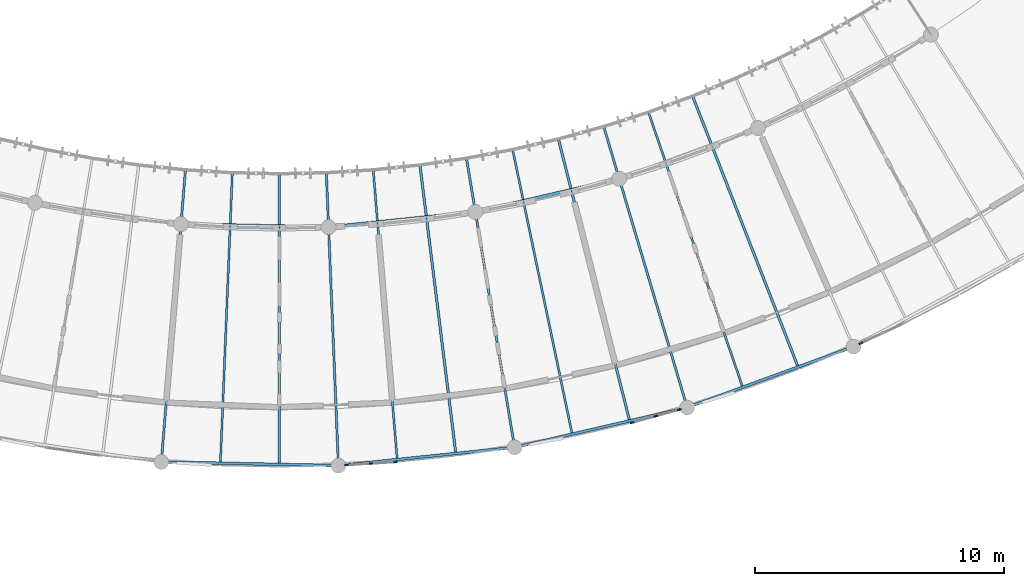
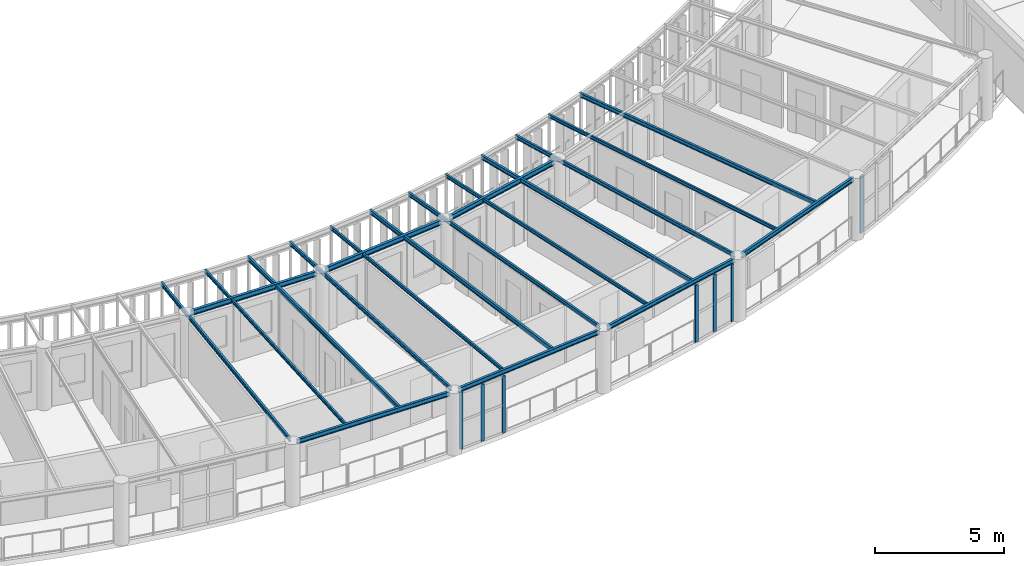
# One storey, part 17 of 101: 19 beams, 7 members, 3 elements without a shape of their own.
"""IFC4 building model written with IfcOpenShell, lengths in metres."""

from ifc_helpers import new_model, si_unit, direction, frame, origin, origin_2d, place, context, subcontext, project, spatial, rectangle, i_section, extrude, material, layer, layer_set, material_profile, profile_set, type_object, element, aggregate, save


model = new_model("IFC4")

# Units and contexts
model_context = context("Model", 3, precision=1e-05, world=origin(), true_north=direction((0.0, 1.0)))
body_context = subcontext(model_context, "Body", "Model", "MODEL_VIEW")
ifc_project = project(units=[si_unit("LENGTHUNIT", "METRE"), si_unit("AREAUNIT", "SQUARE_METRE"), si_unit("VOLUMEUNIT", "CUBIC_METRE"), si_unit("PLANEANGLEUNIT", "RADIAN"), si_unit("MASSUNIT", "GRAM", prefix="KILO"), si_unit("POWERUNIT", "WATT"), si_unit("THERMODYNAMICTEMPERATUREUNIT", "KELVIN")], contexts=[model_context])

# Site, building, storey
site_placement = place(None, origin())
site = spatial("IfcSite", under=ifc_project, at=site_placement, CompositionType="ELEMENT")
building_placement = place(site_placement, origin())
building = spatial("IfcBuilding", under=site, at=building_placement, Name="Ruvembo Vaulted Housing Court", CompositionType="ELEMENT")
storey_placement = place(building_placement, frame((0.0, 0.0, 17.300048828125)))
storey = spatial("IfcBuildingStorey", under=building, at=storey_placement, Name="L05", CompositionType="ELEMENT", Elevation=17.300048828125)

# Beams
ifc_material_1 = material(Name="Steel S355J2", Category="steel")
ifc_material_profile_1 = material_profile(ifc_material_1, i_section(OverallWidth=0.08203125, OverallDepth=0.159912109375, WebThickness=0.0048828125, FlangeThickness=0.00732421875, FilletRadius=0.009033203125, at=origin_2d()), Name="IPE 160")
ifc_profile_set_1 = profile_set([ifc_material_profile_1], Name="Steel S355J2")
beam_type_1 = type_object("IfcBeamType", Name="BM-ST-IPE160", PredefinedType="JOIST", material=ifc_profile_set_1)
for number, where, z_axis, x_axis, name in (
    (1, (66.630615234375, 4.596923828125, 2.85205078125), (0.041239703888, 0.999149281551, 0.0), (-0.999149281551, 0.041239703888, 0.0), "Scoop SC2 L05 Radial Steel Joist 13"),
    (2, (73.73486328125, 4.743408203125, 2.85205078125), (-0.082416447745, 0.996597977693, 0.0), (-0.996597977693, -0.082416447745, 0.0), "Scoop SC2 L05 Radial Steel Joist 16"),
):
    element("IfcBeam", number, at=place(storey_placement, frame(where, z_axis=z_axis, x_axis=x_axis)), inside=storey, type_object=beam_type_1, Name=name, PredefinedType="JOIST", context=body_context, shape_type="SweptSolid", body=[
        extrude(i_section(OverallWidth=0.08203125, OverallDepth=0.159912109375, WebThickness=0.0048828125, FlangeThickness=0.00732421875, FilletRadius=0.009033203125, at=origin_2d()), origin(), (0.0, 0.0, 1.0), 11.692138671875),
    ])
beam_1_placement = place(storey_placement, frame((80.7666015625, 5.765869140625, 2.85205078125), z_axis=(-0.204822214104, 0.9787991932, 0.0), x_axis=(-0.9787991932, -0.204822214104, 0.0)))
element("IfcBeam", 3, at=beam_1_placement, inside=storey, type_object=beam_type_1, Name="Scoop SC2 L05 Radial Steel Joist 19", PredefinedType="JOIST", context=body_context, shape_type="SweptSolid", body=[
    extrude(i_section(OverallWidth=0.08203125, OverallDepth=0.159912109375, WebThickness=0.0048828125, FlangeThickness=0.00732421875, FilletRadius=0.009033203125, at=origin_2d()), origin(), (0.0, 0.0, 1.0), 11.69189453125),
])
beam_2_placement = place(storey_placement, frame((87.618408203125, 7.6484375, 2.85205078125), z_axis=(-0.324072338174, 0.946032303693, 0.0), x_axis=(-0.946032303693, -0.324072338174, 0.0)))
element("IfcBeam", 4, at=beam_2_placement, inside=storey, type_object=beam_type_1, Name="Scoop SC2 L05 Radial Steel Joist 22", PredefinedType="JOIST", context=body_context, shape_type="SweptSolid", body=[
    extrude(i_section(OverallWidth=0.08203125, OverallDepth=0.159912109375, WebThickness=0.0048828125, FlangeThickness=0.00732421875, FilletRadius=0.009033203125, at=origin_2d()), origin(), (0.0, 0.0, 1.0), 11.692138671875),
])
ifc_material_profile_2 = material_profile(ifc_material_1, i_section(OverallWidth=0.091064453125, OverallDepth=0.179931640625, WebThickness=0.00537109375, FlangeThickness=0.008056640625, FilletRadius=0.009033203125, at=origin_2d()), Name="IPE 180")
ifc_profile_set_2 = profile_set([ifc_material_profile_2], Name="Steel S355J2")
beam_type_2 = type_object("IfcBeamType", Name="BM-ST-IPE180", PredefinedType="JOIST", material=ifc_profile_set_2)
beam_3_placement = place(storey_placement, frame((64.268798828125, 4.785400390625, 2.842041015625), z_axis=(0.082400296485, 0.996599313234, 0.0), x_axis=(-0.996599313234, 0.082400296485, 0.0)))
element("IfcBeam", 5, at=beam_3_placement, inside=storey, type_object=beam_type_2, Name="Scoop SC2 L05 Radial Steel Joist 12", PredefinedType="JOIST", context=body_context, shape_type="SweptSolid", body=[
    extrude(i_section(OverallWidth=0.091064453125, OverallDepth=0.179931640625, WebThickness=0.00537109375, FlangeThickness=0.008056640625, FilletRadius=0.009033203125, at=origin_2d()), origin(), (0.0, 0.0, 1.0), 11.64990234375),
])
beam_4_placement = place(storey_placement, frame((71.36767578125, 4.638916015625, 2.842041015625), z_axis=(-0.041241780641, 0.999149195831, 0.0), x_axis=(-0.999149195831, -0.041241780641, 0.0)))
element("IfcBeam", 6, at=beam_4_placement, inside=storey, type_object=beam_type_2, Name="Scoop SC2 L05 Radial Steel Joist 15", PredefinedType="JOIST", context=body_context, shape_type="SweptSolid", body=[
    extrude(i_section(OverallWidth=0.091064453125, OverallDepth=0.179931640625, WebThickness=0.00537109375, FlangeThickness=0.008056640625, FilletRadius=0.009033203125, at=origin_2d()), origin(), (0.0, 0.0, 1.0), 11.650146484375),
])
beam_5_placement = place(storey_placement, frame((78.430419921875, 5.369873046875, 2.842041015625), z_axis=(-0.164276646403, 0.986414306185, 0.0), x_axis=(-0.986414306185, -0.164276646403, 0.0)))
element("IfcBeam", 7, at=beam_5_placement, inside=storey, type_object=beam_type_2, Name="Scoop SC2 L05 Radial Steel Joist 18", PredefinedType="JOIST", context=body_context, shape_type="SweptSolid", body=[
    extrude(i_section(OverallWidth=0.091064453125, OverallDepth=0.179931640625, WebThickness=0.00537109375, FlangeThickness=0.008056640625, FilletRadius=0.009033203125, at=origin_2d()), origin(), (0.0, 0.0, 1.0), 11.64990234375),
])
beam_6_placement = place(storey_placement, frame((85.34912109375, 6.967041015625, 2.842041015625), z_axis=(-0.284791771635, 0.958589404703, 0.0), x_axis=(-0.958589404703, -0.284791771635, 0.0)))
element("IfcBeam", 8, at=beam_6_placement, inside=storey, type_object=beam_type_2, Name="Scoop SC2 L05 Radial Steel Joist 21", PredefinedType="JOIST", context=body_context, shape_type="SweptSolid", body=[
    extrude(i_section(OverallWidth=0.091064453125, OverallDepth=0.179931640625, WebThickness=0.00537109375, FlangeThickness=0.008056640625, FilletRadius=0.009033203125, at=origin_2d()), origin(), (0.0, 0.0, 1.0), 11.650146484375),
])
ifc_material_profile_3 = material_profile(ifc_material_1, i_section(OverallWidth=0.10009765625, OverallDepth=0.199951171875, WebThickness=0.005615234375, FlangeThickness=0.008544921875, FilletRadius=0.011962890625, at=origin_2d()), Name="IPE 200")
ifc_profile_set_3 = profile_set([ifc_material_profile_3], Name="Steel S355J2")
beam_type_3 = type_object("IfcBeamType", Name="BM-ST-IPE200", PredefinedType="BEAM", material=ifc_profile_set_3)
beam_7_placement = place(storey_placement, frame((69.0, 4.548095703125, 2.83203125), z_axis=(0.0, 1.0, 0.0), x_axis=(-1.0, 0.0, 0.0)))
element("IfcBeam", 9, at=beam_7_placement, inside=storey, type_object=beam_type_3, Name="Scoop SC2 L05 Radial Steel Joist 14", PredefinedType="BEAM", context=body_context, shape_type="SweptSolid", body=[
    extrude(i_section(OverallWidth=0.10009765625, OverallDepth=0.199951171875, WebThickness=0.005615234375, FlangeThickness=0.008544921875, FilletRadius=0.011962890625, at=origin_2d()), origin(), (0.0, 0.0, 1.0), 11.69189453125),
])
beam_8_placement = place(storey_placement, frame((76.092041015625, 4.9873046875, 2.83203125), z_axis=(-0.123446200649, 0.992351266208, 0.0), x_axis=(-0.992351266208, -0.123446200649, 0.0)))
element("IfcBeam", 10, at=beam_8_placement, inside=storey, type_object=beam_type_3, Name="Scoop SC2 L05 Radial Steel Joist 17", PredefinedType="BEAM", context=body_context, shape_type="SweptSolid", body=[
    extrude(i_section(OverallWidth=0.10009765625, OverallDepth=0.199951171875, WebThickness=0.005615234375, FlangeThickness=0.008544921875, FilletRadius=0.011962890625, at=origin_2d()), origin(), (0.0, 0.0, 1.0), 11.692138671875),
])
for number, where, z_axis, x_axis, name in (
    (11, (83.07568359375, 6.299072265625, 2.83203125), (-0.24500130138, 0.96952274977, 0.0), (-0.96952274977, -0.24500130138, 0.0), "Scoop SC2 L05 Radial Steel Joist 20"),
    (12, (89.843994140625, 8.462646484375, 2.83203125), (-0.362810002235, 0.93186313495, 0.0), (-0.93186313495, -0.362810002235, 0.0), "Scoop SC2 L05 Radial Steel Joist 23"),
):
    element("IfcBeam", number, at=place(storey_placement, frame(where, z_axis=z_axis, x_axis=x_axis)), inside=storey, type_object=beam_type_3, Name=name, PredefinedType="BEAM", context=body_context, shape_type="SweptSolid", body=[
        extrude(i_section(OverallWidth=0.10009765625, OverallDepth=0.199951171875, WebThickness=0.005615234375, FlangeThickness=0.008544921875, FilletRadius=0.011962890625, at=origin_2d()), origin(), (0.0, 0.0, 1.0), 11.69189453125),
    ])
ifc_material_profile_4 = material_profile(ifc_material_1, i_section(OverallWidth=0.110107421875, OverallDepth=0.219970703125, WebThickness=0.005859375, FlangeThickness=0.00927734375, FilletRadius=0.011962890625, at=origin_2d()), Name="IPE 220")
ifc_profile_set_4 = profile_set([ifc_material_profile_4], Name="Steel S355J2")
beam_type_4 = type_object("IfcBeamType", Name="BM-ST-IPE220", PredefinedType="SPANDREL", material=ifc_profile_set_4)
beam_9_placement = place(storey_placement, frame((64.443115234375, 4.592041015625, 2.823974609375), z_axis=(0.999787074346, -0.020635066531, 0.0), x_axis=(0.020635066531, 0.999787074346, 0.0)))
element("IfcBeam", 13, at=beam_9_placement, inside=storey, type_object=beam_type_4, Name="Scoop SC2 L05 Chord Girder B12", PredefinedType="SPANDREL", context=body_context, shape_type="SweptSolid", body=[
    extrude(i_section(OverallWidth=0.110107421875, OverallDepth=0.219970703125, WebThickness=0.005859375, FlangeThickness=0.00927734375, FilletRadius=0.011962890625, at=origin_2d()), origin(), (0.0, 0.0, 1.0), 6.743896484375),
])
for number, where, z_axis, x_axis, name in (
    (14, (71.564453125, 4.468505859375, 2.823974609375), (0.994686042754, 0.102954729614, 0.0), (-0.102954729614, 0.994686042754, 0.0), "Scoop SC2 L05 Chord Girder B15"),
    (15, (78.646728515625, 5.22509765625, 2.823974609375), (0.974370447489, 0.224949396667, 0.0), (-0.224949396667, 0.974370447489, 0.0), "Scoop SC2 L05 Chord Girder B18"),
    (16, (85.58154296875, 6.850341796875, 2.823974609375), (0.939150198964, 0.343506774003, 0.0), (-0.343506774003, 0.939150198964, 0.0), "Scoop SC2 L05 Chord Girder B21"),
):
    element("IfcBeam", number, at=place(storey_placement, frame(where, z_axis=z_axis, x_axis=x_axis)), inside=storey, type_object=beam_type_4, Name=name, PredefinedType="SPANDREL", context=body_context, shape_type="SweptSolid", body=[
        extrude(i_section(OverallWidth=0.110107421875, OverallDepth=0.219970703125, WebThickness=0.005859375, FlangeThickness=0.00927734375, FilletRadius=0.011962890625, at=origin_2d()), origin(), (0.0, 0.0, 1.0), 6.744140625),
    ])
ifc_material_profile_5 = material_profile(ifc_material_1, i_section(OverallWidth=0.1201171875, OverallDepth=0.239990234375, WebThickness=0.006103515625, FlangeThickness=0.009765625, FilletRadius=0.014892578125, at=origin_2d()), Name="IPE 240")
ifc_profile_set_5 = profile_set([ifc_material_profile_5], Name="Steel S355J2")
beam_type_5 = type_object("IfcBeamType", Name="BM-ST-IPE240", PredefinedType="BEAM", material=ifc_profile_set_5)
for number, where, z_axis, x_axis, name in (
    (17, (65.234130859375, 14.159423828125, 2.81396484375), (0.999786757823, -0.020650396668, 0.0), (0.020650396668, 0.999786757823, 0.0), "Scoop SC2 L05 Chord Girder F12"),
    (18, (71.168701171875, 14.060302734375, 2.81396484375), (0.994687140669, 0.102944121674, 0.0), (-0.102944121674, 0.994687140669, 0.0), "Scoop SC2 L05 Chord Girder F15"),
):
    element("IfcBeam", number, at=place(storey_placement, frame(where, z_axis=z_axis, x_axis=x_axis)), inside=storey, type_object=beam_type_5, Name=name, PredefinedType="BEAM", context=body_context, shape_type="SweptSolid", body=[
        extrude(i_section(OverallWidth=0.1201171875, OverallDepth=0.239990234375, WebThickness=0.006103515625, FlangeThickness=0.009765625, FilletRadius=0.014892578125, at=origin_2d()), origin(), (0.0, 0.0, 1.0), 5.556640625),
    ])
beam_10_placement = place(storey_placement, frame((77.06982421875, 14.694580078125, 2.81396484375), z_axis=(0.974360085885, 0.224994273338, 0.0), x_axis=(-0.224994273338, 0.974360085885, 0.0)))
element("IfcBeam", 19, at=beam_10_placement, inside=storey, type_object=beam_type_5, Name="Scoop SC2 L05 Chord Girder F18", PredefinedType="BEAM", context=body_context, shape_type="SweptSolid", body=[
    extrude(i_section(OverallWidth=0.1201171875, OverallDepth=0.239990234375, WebThickness=0.006103515625, FlangeThickness=0.009765625, FilletRadius=0.014892578125, at=origin_2d()), origin(), (0.0, 0.0, 1.0), 5.556884765625),
])

# Curtain wall, members
ifc_material_2 = material(Name="Anodised Aluminium and Solar-Control Glass", Category="aluminium")
ifc_layer_1 = layer(ifc_material_2, 0.1201171875, Name="Anodised Aluminium and Solar-Control Glass")
ifc_layer_set_1 = layer_set([ifc_layer_1], Name="Anodised Aluminium and Solar-Control Glass")
curtain_wall_type_1 = type_object("IfcCurtainWallType", Name="CW-SCOOP-GAL", PredefinedType="NOTDEFINED", material=ifc_layer_set_1)
curtain_wall_1_placement = place(storey_placement, origin())
curtain_wall_1 = element("IfcCurtainWall", 20, at=curtain_wall_1_placement, inside=storey, type_object=curtain_wall_type_1, Name="L05 Curtain Wall CW-L05-0056", PredefinedType="NOTDEFINED")
ifc_material_3 = material(Name="Anodised Aluminium 6063-T6", Category="aluminium")
ifc_material_profile_6 = material_profile(ifc_material_3, rectangle(XDim=0.06005859375, YDim=0.139892578125, at=origin_2d()), Name="ALU 60x140")
ifc_profile_set_6 = profile_set([ifc_material_profile_6], Name="Anodised Aluminium 6063-T6")
member_type_1 = type_object("IfcMemberType", Name="CW-MUL-60x140", PredefinedType="MULLION", material=ifc_profile_set_6)
member_1_placement = place(storey_placement, frame((71.704833984375, 4.46923828125, 0.0), z_axis=(0.0, 0.0, 1.0), x_axis=(-0.06184361449, 0.998085851692, 0.0)))
member_1 = element("IfcMember", 21, at=member_1_placement, type_object=member_type_1, Name="CW6 mullion 1", PredefinedType="MULLION", context=body_context, shape_type="SweptSolid", body=[
    extrude(rectangle(XDim=0.06005859375, YDim=0.139892578125, at=origin_2d()), origin(), (0.0, 0.0, 1.0), 2.68994140625),
])
member_2_placement = place(storey_placement, frame((72.68603515625, 4.530029296875, 0.0), z_axis=(0.0, 0.0, 1.0), x_axis=(-0.06184361449, 0.998085851692, 0.0)))
member_2 = element("IfcMember", 22, at=member_2_placement, type_object=member_type_1, Name="CW6 mullion 2", PredefinedType="MULLION", context=body_context, shape_type="SweptSolid", body=[
    extrude(rectangle(XDim=0.06005859375, YDim=0.139892578125, at=origin_2d()), origin(), (0.0, 0.0, 1.0), 2.68994140625),
])
member_3_placement = place(storey_placement, frame((73.667236328125, 4.591064453125, 0.0), z_axis=(0.0, 0.0, 1.0), x_axis=(-0.06184361449, 0.998085851692, 0.0)))
member_3 = element("IfcMember", 23, at=member_3_placement, type_object=member_type_1, Name="CW6 mullion 3", PredefinedType="MULLION", context=body_context, shape_type="SweptSolid", body=[
    extrude(rectangle(XDim=0.06005859375, YDim=0.139892578125, at=origin_2d()), origin(), (0.0, 0.0, 1.0), 2.68994140625),
])
aggregate(curtain_wall_1, [member_1, member_2, member_3])

# Curtain wall, member
ifc_layer_2 = layer(ifc_material_2, 0.139892578125, Name="Anodised Aluminium and Solar-Control Glass")
ifc_layer_set_2 = layer_set([ifc_layer_2], Name="Anodised Aluminium and Solar-Control Glass")
curtain_wall_type_2 = type_object("IfcCurtainWallType", Name="CW-SCOOP-PAN", PredefinedType="NOTDEFINED", material=ifc_layer_set_2)
curtain_wall_2_placement = place(storey_placement, origin())
curtain_wall_2 = element("IfcCurtainWall", 24, at=curtain_wall_2_placement, inside=storey, type_object=curtain_wall_type_2, Name="L05 Curtain Wall CW-L05-0058", PredefinedType="NOTDEFINED")
ifc_material_profile_7 = material_profile(ifc_material_3, rectangle(XDim=0.06494140625, YDim=0.179931640625, at=origin_2d()), Name="ALU 65x180")
ifc_profile_set_7 = profile_set([ifc_material_profile_7], Name="Anodised Aluminium 6063-T6")
member_type_2 = type_object("IfcMemberType", Name="CW-MUL-65x180", PredefinedType="MULLION", material=ifc_profile_set_7)
member_4_placement = place(storey_placement, frame((92.3955078125, 9.371826171875, 0.0), z_axis=(0.0, 0.0, 1.0), x_axis=(-0.419740403325, 0.907644200013, 0.0)))
member_4 = element("IfcMember", 25, at=member_4_placement, type_object=member_type_2, Name="CW10 mullion 1", PredefinedType="MULLION", context=body_context, shape_type="SweptSolid", body=[
    extrude(rectangle(XDim=0.06494140625, YDim=0.179931640625, at=origin_2d()), origin(), (0.0, 0.0, 1.0), 2.68994140625),
])
aggregate(curtain_wall_2, [member_4])

# Curtain wall, members
curtain_wall_3_placement = place(storey_placement, origin())
curtain_wall_3 = element("IfcCurtainWall", 26, at=curtain_wall_3_placement, inside=storey, type_object=curtain_wall_type_2, Name="L05 Curtain Wall CW-L05-0057", PredefinedType="NOTDEFINED")
ifc_material_profile_8 = material_profile(ifc_material_3, rectangle(XDim=0.06005859375, YDim=0.159912109375, at=origin_2d()), Name="ALU 60x160")
ifc_profile_set_8 = profile_set([ifc_material_profile_8], Name="Anodised Aluminium 6063-T6")
member_type_3 = type_object("IfcMemberType", Name="CW-MULLION-65x150", PredefinedType="MULLION", material=ifc_profile_set_8)
member_5_placement = place(storey_placement, frame((83.189208984375, 6.1767578125, 0.0), z_axis=(0.0, 0.0, 1.0), x_axis=(-0.26495457052, 0.964260896003, 0.0)))
member_5 = element("IfcMember", 27, at=member_5_placement, type_object=member_type_3, Name="CW10 mullion 1", PredefinedType="MULLION", context=body_context, shape_type="SweptSolid", body=[
    extrude(rectangle(XDim=0.06005859375, YDim=0.159912109375, at=origin_2d()), origin(), (0.0, 0.0, 1.0), 2.68994140625),
])
member_6_placement = place(storey_placement, frame((84.136962890625, 6.43701171875, 0.0), z_axis=(0.0, 0.0, 1.0), x_axis=(-0.26495457052, 0.964260896003, 0.0)))
member_6 = element("IfcMember", 28, at=member_6_placement, type_object=member_type_3, Name="CW10 mullion 2", PredefinedType="MULLION", context=body_context, shape_type="SweptSolid", body=[
    extrude(rectangle(XDim=0.06005859375, YDim=0.159912109375, at=origin_2d()), origin(), (0.0, 0.0, 1.0), 2.68994140625),
])
member_7_placement = place(storey_placement, frame((85.0849609375, 6.697509765625, 0.0), z_axis=(0.0, 0.0, 1.0), x_axis=(-0.26495457052, 0.964260896003, 0.0)))
member_7 = element("IfcMember", 29, at=member_7_placement, type_object=member_type_3, Name="CW10 mullion 3", PredefinedType="MULLION", context=body_context, shape_type="SweptSolid", body=[
    extrude(rectangle(XDim=0.06005859375, YDim=0.159912109375, at=origin_2d()), origin(), (0.0, 0.0, 1.0), 2.68994140625),
])
aggregate(curtain_wall_3, [member_5, member_6, member_7])

save(model, "model.ifc")
